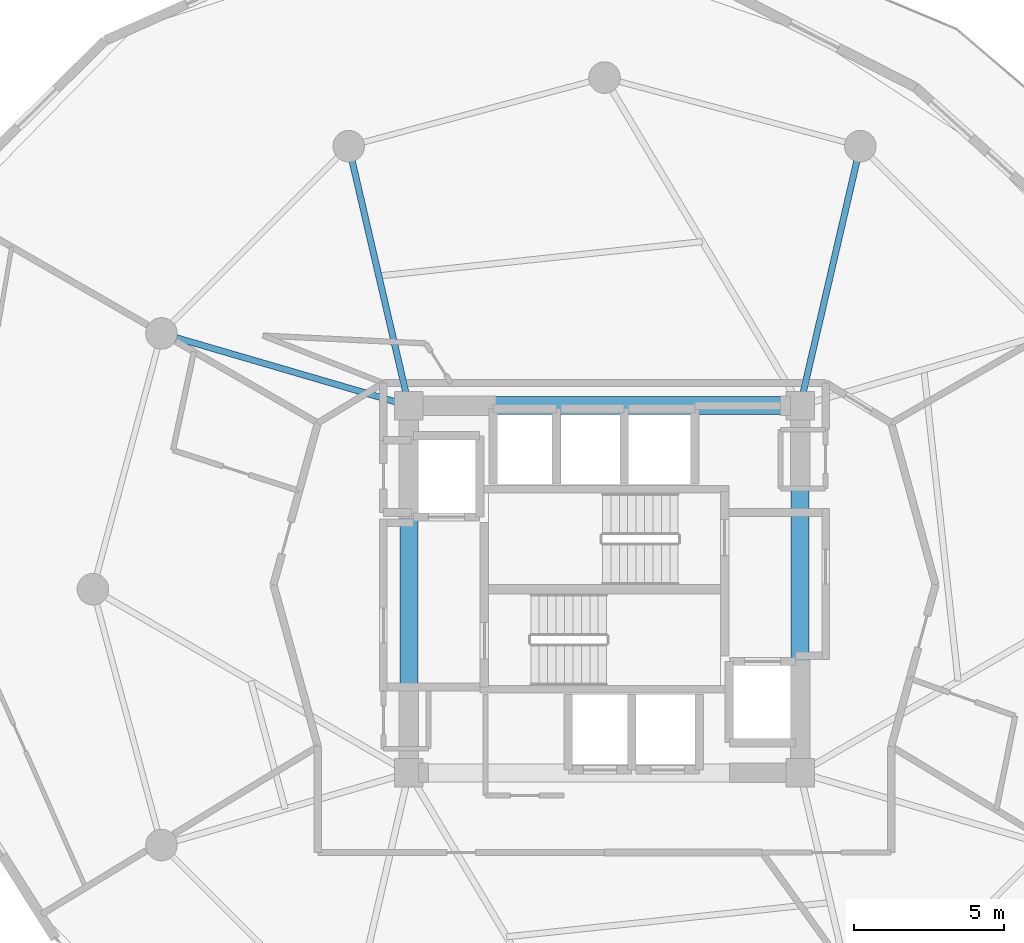
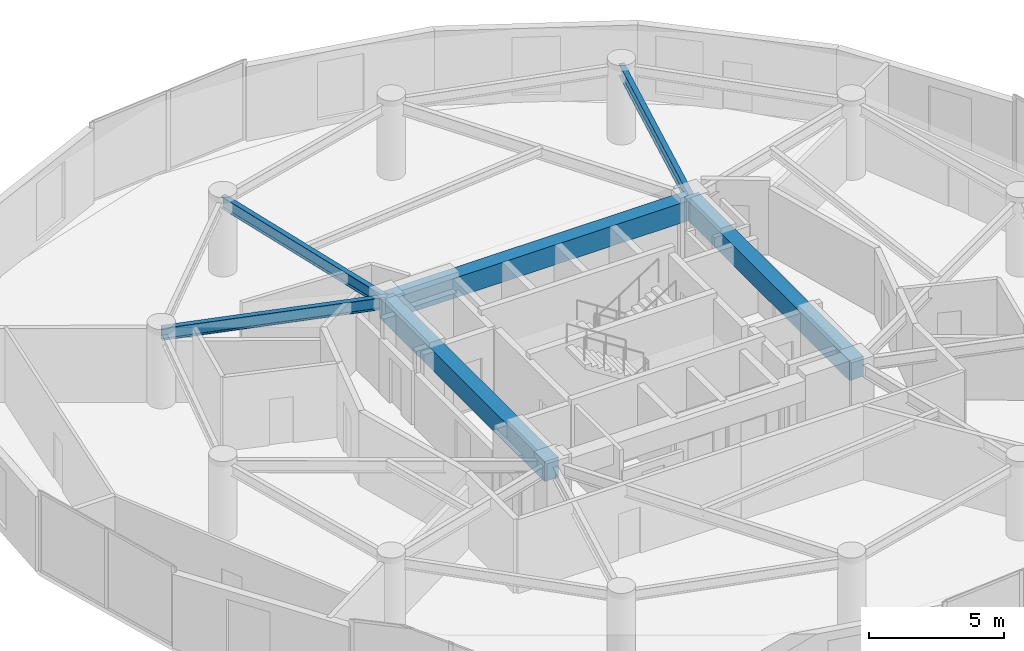
# One storey, part 8 of 25: 6 beams.
"""IFC4 building model written with IfcOpenShell, lengths in metres."""

from ifc_helpers import new_model, si_unit, direction, frame, origin, origin_2d, place, context, subcontext, project, spatial, rectangle, i_section, extrude, material, material_profile, profile_set, type_object, element, save


model = new_model("IFC4")

# Units and contexts
model_context = context("Model", 3, precision=1e-05, world=origin(), true_north=direction((0.0, 1.0)))
body_context = subcontext(model_context, "Body", "Model", "MODEL_VIEW")
ifc_project = project(units=[si_unit("LENGTHUNIT", "METRE"), si_unit("AREAUNIT", "SQUARE_METRE"), si_unit("VOLUMEUNIT", "CUBIC_METRE"), si_unit("PLANEANGLEUNIT", "RADIAN"), si_unit("MASSUNIT", "GRAM", prefix="KILO")], contexts=[model_context])

# Site, building, storey
site_placement = place(None, origin())
site = spatial("IfcSite", under=ifc_project, at=site_placement, CompositionType="ELEMENT")
building_placement = place(site_placement, origin())
building = spatial("IfcBuilding", under=site, at=building_placement, Name="Solvirekh Grand Hotel", CompositionType="ELEMENT")
storey_placement = place(building_placement, frame((0.0, 0.0, 117.0)))
storey = spatial("IfcBuildingStorey", under=building, at=storey_placement, Name="L29", CompositionType="ELEMENT", Elevation=117.0)

# Beams
ifc_material_1 = material(Name="Concrete C50/60", Category="concrete")
ifc_material_profile_1 = material_profile(ifc_material_1, rectangle(XDim=0.60009765625, YDim=0.89990234375, at=origin_2d()), Name="RC BEAM 600X900")
ifc_profile_set_1 = profile_set([ifc_material_profile_1], Name="Concrete C50/60")
beam_type_1 = type_object("IfcBeamType", Name="Beam_Core_RC900", PredefinedType="BEAM", material=ifc_profile_set_1)
beam_1_placement = place(storey_placement, frame((6.5, -6.10009765625, 2.89990234375), z_axis=(0.0, 1.0, 0.0), x_axis=(-1.0, 0.0, 0.0)))
element("IfcBeam", 1, at=beam_1_placement, inside=storey, type_object=beam_type_1, Name="L29 core coupling ring beam 2", PredefinedType="BEAM", context=body_context, shape_type="SweptSolid", body=[
    extrude(rectangle(XDim=0.60009765625, YDim=0.89990234375, at=origin_2d()), origin(), (0.0, 0.0, 1.0), 12.2001953125),
])
beam_2_placement = place(storey_placement, frame((6.5, 6.10009765625, 2.89990234375), z_axis=(-1.0, 0.0, 0.0), x_axis=(0.0, -1.0, 0.0)))
element("IfcBeam", 2, at=beam_2_placement, inside=storey, type_object=beam_type_1, Name="L29 core coupling ring beam 3", PredefinedType="BEAM", context=body_context, shape_type="SweptSolid", body=[
    extrude(rectangle(XDim=0.60009765625, YDim=0.89990234375, at=origin_2d()), origin(), (0.0, 0.0, 1.0), 13.0),
])
beam_3_placement = place(storey_placement, frame((-6.5, 6.10009765625, 2.89990234375), z_axis=(0.0, -1.0, 0.0), x_axis=(1.0, 0.0, 0.0)))
element("IfcBeam", 3, at=beam_3_placement, inside=storey, type_object=beam_type_1, Name="L29 core coupling ring beam 4", PredefinedType="BEAM", context=body_context, shape_type="SweptSolid", body=[
    extrude(rectangle(XDim=0.60009765625, YDim=0.89990234375, at=origin_2d()), origin(), (0.0, 0.0, 1.0), 12.2001953125),
])
ifc_material_2 = material(Name="Steel S355", Category="steel")
ifc_material_profile_2 = material_profile(ifc_material_2, i_section(OverallWidth=0.2119140625, OverallDepth=0.5439453125, WebThickness=0.011962890625, FlangeThickness=0.01904296875, FilletRadius=0.013916015625, at=origin_2d()), Name="W530X123")
ifc_profile_set_2 = profile_set([ifc_material_profile_2], Name="Steel S355")
beam_type_2 = type_object("IfcBeamType", Name="Beam_Radial_W530H", PredefinedType="BEAM", material=ifc_profile_set_2)
for number, where, z_axis, x_axis, name in (
    (4, (6.5, 6.10009765625, 3.077880859375), (0.225969390542, 0.974134402707, 0.0), (-0.974134402707, 0.225969390542, 0.0), "L29 radial floor beam R03"),
    (5, (-6.5, 6.10009765625, 3.077880859375), (-0.225969390542, 0.974134402707, 0.0), (-0.974134402707, -0.225969390542, 0.0), "L29 radial floor beam R05"),
):
    element("IfcBeam", number, at=place(storey_placement, frame(where, z_axis=z_axis, x_axis=x_axis)), inside=storey, type_object=beam_type_2, Name=name, PredefinedType="BEAM", context=body_context, shape_type="SweptSolid", body=[
        extrude(i_section(OverallWidth=0.2119140625, OverallDepth=0.5439453125, WebThickness=0.011962890625, FlangeThickness=0.01904296875, FilletRadius=0.013916015625, at=origin_2d()), origin(), (0.0, 0.0, 1.0), 8.850830078125),
    ])
beam_4_placement = place(storey_placement, frame((-6.5, 6.10009765625, 3.077880859375), z_axis=(-0.959942195467, 0.28019811092, 0.0), x_axis=(-0.28019811092, -0.959942195467, 0.0)))
element("IfcBeam", 6, at=beam_4_placement, inside=storey, type_object=beam_type_2, Name="L29 radial floor beam R06", PredefinedType="BEAM", context=body_context, shape_type="SweptSolid", body=[
    extrude(i_section(OverallWidth=0.2119140625, OverallDepth=0.5439453125, WebThickness=0.011962890625, FlangeThickness=0.01904296875, FilletRadius=0.013916015625, at=origin_2d()), origin(), (0.0, 0.0, 1.0), 8.56494140625),
])

save(model, "model.ifc")
